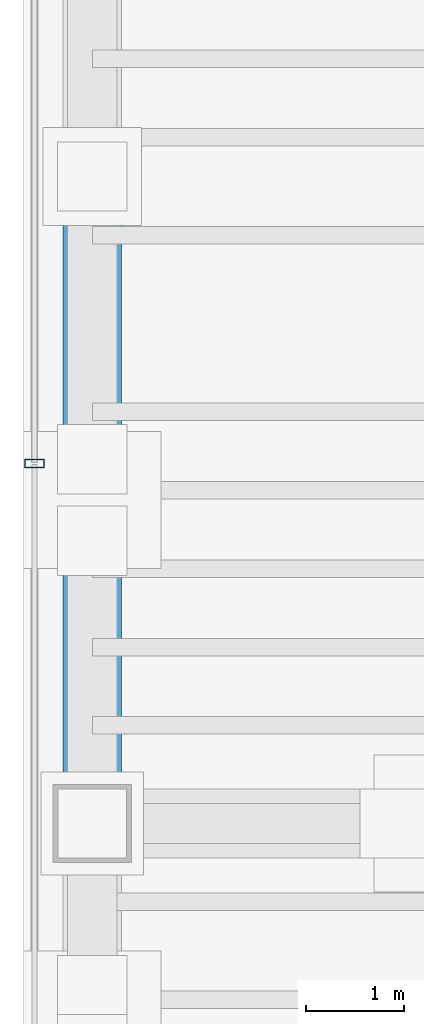
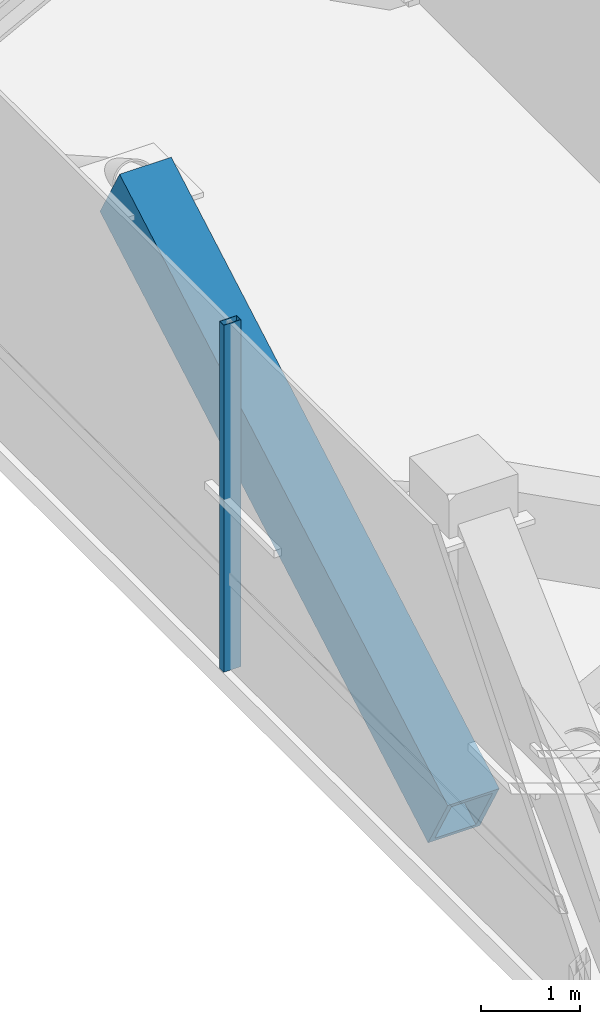
# One storey, part 6 of 19: 2 members, 1 element without a shape of its own.
"""IFC4 building model written with IfcOpenShell, lengths in metres."""

import ifcopenshell
import ifcopenshell.guid

model = None  # the IFC model being written
_history = None  # IfcOwnerHistory: only IFC2X3 demands one
_inside = {}  # id of a spatial element -> (the spatial element, [elements in it])
_under = {}  # id of a project, library or spatial element -> (it, [spatial elements below it])
_declared = {}  # id of a project -> (the project, [libraries it declares])
_typed = {}  # id of a type object -> (the type object, [elements of that type])
_made_of = {}  # id of a material, layer set ... -> (it, [elements and type objects made of it])


def new_model(schema):
    """Start an empty IFC model of exactly this schema.

    Asked for "IFC4X3", IfcOpenShell would pick the latest addendum, in which some entities
    have other attributes; the version numbers below select the first issue.
    IFC2X3 requires an IfcOwnerHistory on every rooted entity: one is made here for all.
    """
    global model, _history
    if schema == "IFC4X3":
        model = ifcopenshell.file(schema_version=(4, 3, 0, 0))
    else:
        model = ifcopenshell.file(schema=schema)
    _inside.clear()
    _under.clear()
    _declared.clear()
    _typed.clear()
    _made_of.clear()
    _history = None
    if model.schema == "IFC2X3":
        org = make("IfcOrganization", Name="unknown")
        user = make(
            "IfcPersonAndOrganization",
            ThePerson=make("IfcPerson", FamilyName="unknown"),
            TheOrganization=org,
        )
        app = make(
            "IfcApplication",
            ApplicationDeveloper=org,
            Version="unknown",
            ApplicationFullName="unknown",
            ApplicationIdentifier="unknown",
        )
        _history = make(
            "IfcOwnerHistory",
            OwningUser=user,
            OwningApplication=app,
            ChangeAction="ADDED",
            CreationDate=0,
        )
    return model


def make(cls, **values):
    """One entity of the class cls with the attributes given. An attribute that is None is left unset."""
    return model.create_entity(
        cls, **{name: value for name, value in values.items() if value is not None}
    )


def rooted(cls, **values):
    """An entity with a GlobalId (a new one), such as an element, a storey or a relation."""
    return make(cls, GlobalId=ifcopenshell.guid.new(), OwnerHistory=_history, **values)


def si_unit(unit_type, name, prefix=None):
    """IfcSIUnit, for example si_unit("LENGTHUNIT", "METRE", prefix="MILLI")."""
    return make("IfcSIUnit", UnitType=unit_type, Prefix=prefix, Name=name)


def assignment(units):
    """IfcUnitAssignment: the units of a project."""
    return None if units is None else make("IfcUnitAssignment", Units=units)


def point(xyz):
    """IfcCartesianPoint."""
    return None if xyz is None else make("IfcCartesianPoint", Coordinates=xyz)


def direction(xyz):
    """IfcDirection."""
    return None if xyz is None else make("IfcDirection", DirectionRatios=xyz)


def frame(location, z_axis=None, x_axis=None):
    """IfcAxis2Placement3D, a coordinate frame: its origin and axes. An axis left out is left unset."""
    return make(
        "IfcAxis2Placement3D",
        Location=point(location),
        Axis=direction(z_axis),
        RefDirection=direction(x_axis),
    )


def frame_2d(location, x_axis=None):
    """IfcAxis2Placement2D, a coordinate frame in the plane: its origin and x axis."""
    return make(
        "IfcAxis2Placement2D", Location=point(location), RefDirection=direction(x_axis)
    )


def origin():
    """The frame at (0, 0, 0) with its axes left unset."""
    return frame((0.0, 0.0, 0.0))


def origin_2d():
    """The frame at (0, 0) in the plane with its x axis left unset."""
    return frame_2d((0.0, 0.0))


def place(relative_to, where):
    """IfcLocalPlacement: puts the frame where relative to a parent placement (None: the world)."""
    return make(
        "IfcLocalPlacement", PlacementRelTo=relative_to, RelativePlacement=where
    )


def context(
    kind, dimensions, precision=None, world=None, true_north=None, identifier=None
):
    """IfcGeometricRepresentationContext, for example the 3D "Model" context."""
    return make(
        "IfcGeometricRepresentationContext",
        ContextIdentifier=identifier,
        ContextType=kind,
        CoordinateSpaceDimension=dimensions,
        Precision=precision,
        WorldCoordinateSystem=world,
        TrueNorth=true_north,
    )


def subcontext(parent, identifier, kind, view, scale=None):
    """IfcGeometricRepresentationSubContext, for example "Body" below "Model"."""
    return make(
        "IfcGeometricRepresentationSubContext",
        ContextIdentifier=identifier,
        ContextType=kind,
        ParentContext=parent,
        TargetScale=scale,
        TargetView=view,
    )


def project(units=None, contexts=None):
    """IfcProject with its units and contexts."""
    return rooted(
        "IfcProject",
        Name="project",
        RepresentationContexts=contexts,
        UnitsInContext=assignment(units),
    )


def spatial(cls, under=None, at=None, **own):
    """A site, building, storey or space (cls), placed at a placement, below another one or the project."""
    s = rooted(cls, ObjectPlacement=at, **own)
    if under is not None:
        _under.setdefault(under.id(), (under, []))[1].append(s)
    return s


def profile(cls, at=None, kind="AREA", **sizes):
    """A parametric profile (cls). Its sizes go by their IFC names, for example OverallWidth=200.0."""
    return make(cls, ProfileType=kind, Position=at, **sizes)


def hollow_rectangle(**sizes):
    """IfcRectangleHollowProfileDef."""
    return profile("IfcRectangleHollowProfileDef", **sizes)


def extrude(swept, where, along, depth):
    """IfcExtrudedAreaSolid: the profile swept, set in the frame where, extruded along a direction by depth."""
    return make(
        "IfcExtrudedAreaSolid",
        SweptArea=swept,
        Position=where,
        ExtrudedDirection=direction(along),
        Depth=depth,
    )


def shape(context_of_items, identifier, shape_type, items):
    """IfcShapeRepresentation: the items that make up one representation, for example the "Body"."""
    return make(
        "IfcShapeRepresentation",
        ContextOfItems=context_of_items,
        RepresentationIdentifier=identifier,
        RepresentationType=shape_type,
        Items=items,
    )


def source(mapping_origin, context_of_items, identifier, shape_type, items):
    """IfcRepresentationMap: a shape defined once, which mapped items show again and again."""
    return make(
        "IfcRepresentationMap",
        MappingOrigin=mapping_origin,
        MappedRepresentation=shape(context_of_items, identifier, shape_type, items),
    )


def transform(
    local_origin,
    x_axis=None,
    y_axis=None,
    z_axis=None,
    scale=None,
    scale2=None,
    scale3=None,
    uniform=True,
):
    """IfcCartesianTransformationOperator3D, or its non-uniform kind. x_axis, y_axis, z_axis: its Axis1, 2, 3."""
    if uniform:
        return make(
            "IfcCartesianTransformationOperator3D",
            Axis1=direction(x_axis),
            Axis2=direction(y_axis),
            LocalOrigin=point(local_origin),
            Scale=scale,
            Axis3=direction(z_axis),
        )
    return make(
        "IfcCartesianTransformationOperator3DnonUniform",
        Axis1=direction(x_axis),
        Axis2=direction(y_axis),
        LocalOrigin=point(local_origin),
        Scale=scale,
        Axis3=direction(z_axis),
        Scale2=scale2,
        Scale3=scale3,
    )


def mapped(mapping_source, mapping_target):
    """IfcMappedItem: shows the shape of a source again, moved by a transform."""
    return make(
        "IfcMappedItem", MappingSource=mapping_source, MappingTarget=mapping_target
    )


def material(Name=None, Category=None):
    """IfcMaterial."""
    return make("IfcMaterial", Name=Name, Category=Category)


def material_profile(
    of_material, cross_section, Name=None, Category=None, Priority=None
):
    """IfcMaterialProfile: a cross section and its material."""
    return make(
        "IfcMaterialProfile",
        Name=Name,
        Material=of_material,
        Profile=cross_section,
        Priority=Priority,
        Category=Category,
    )


def profile_set(profiles, Name=None, composite=None):
    """IfcMaterialProfileSet."""
    return make(
        "IfcMaterialProfileSet",
        Name=Name,
        MaterialProfiles=profiles,
        CompositeProfile=composite,
    )


def made_of(thing, what):
    """Note that an element or type object is made of a material, layer set ...; save() writes the relation."""
    if what is not None:
        _made_of.setdefault(what.id(), (what, []))[1].append(thing)
    return thing


def type_object(cls, material=None, **own):
    """A type object (cls), such as IfcWallType, which elements share."""
    return made_of(rooted(cls, **own), material)


def element(
    cls,
    number,
    at=None,
    inside=None,
    cuts=None,
    type_object=None,
    material=None,
    context=None,
    identifier="Body",
    shape_type=None,
    held_by="IfcProductDefinitionShape",
    body=None,
    shapes=None,
    **own,
):
    """One element of the class cls, such as IfcWall. Its Tag is "e" and its number.

    at: its placement. inside: the storey or other place that contains it. cuts: it is an
    opening in that element (IfcRelVoidsElement). A single representation is given by context,
    identifier, shape_type and body (its items); several are given by shapes. held_by: the class
    of the entity that holds the representations. save() writes the other relations.
    """
    e = rooted(cls, Tag="e%d" % number, ObjectPlacement=at, **own)
    if body is not None:
        shapes = [shape(context, identifier, shape_type, body)]
    if shapes is not None:
        e.Representation = make(held_by, Representations=shapes)
    if inside is not None:
        _inside.setdefault(inside.id(), (inside, []))[1].append(e)
    if cuts is not None:
        rooted(
            "IfcRelVoidsElement", RelatingBuildingElement=cuts, RelatedOpeningElement=e
        )
    if type_object is not None:
        _typed.setdefault(type_object.id(), (type_object, []))[1].append(e)
    return made_of(e, material)


def aggregate(whole, parts):
    """IfcRelAggregates: a whole, such as a stair, and the parts it consists of."""
    return rooted("IfcRelAggregates", RelatingObject=whole, RelatedObjects=parts)


def save(model, path):
    """Write the relations noted so far, then the file.

    IfcRelAggregates (storeys below a building ...), IfcRelContainedInSpatialStructure (elements
    in a storey), IfcRelDefinesByType, IfcRelAssociatesMaterial and IfcRelDeclares: one each for
    every whole, place, type object, material and project.
    """
    for whole, parts in _under.values():
        aggregate(whole, parts)
    for where, things in _inside.values():
        rooted(
            "IfcRelContainedInSpatialStructure",
            RelatedElements=things,
            RelatingStructure=where,
        )
    for kind, things in _typed.values():
        rooted("IfcRelDefinesByType", RelatedObjects=things, RelatingType=kind)
    for what, things in _made_of.values():
        rooted("IfcRelAssociatesMaterial", RelatedObjects=things, RelatingMaterial=what)
    for by, libraries in _declared.values():
        rooted("IfcRelDeclares", RelatingContext=by, RelatedDefinitions=libraries)
    model.write(path)


model = new_model("IFC4")

# Units and contexts
model_context = context("Model", 3, precision=1e-05, world=origin(), true_north=direction((0.0, 1.0)))
body_context = subcontext(model_context, "Body", "Model", "MODEL_VIEW")
ifc_project = project(units=[si_unit("LENGTHUNIT", "METRE"), si_unit("AREAUNIT", "SQUARE_METRE"), si_unit("VOLUMEUNIT", "CUBIC_METRE"), si_unit("PLANEANGLEUNIT", "RADIAN"), si_unit("MASSUNIT", "GRAM", prefix="KILO")], contexts=[model_context])

# Site, building, storey
site_placement = place(None, origin())
site = spatial("IfcSite", under=ifc_project, at=site_placement, CompositionType="ELEMENT")
building_placement = place(site_placement, origin())
building = spatial("IfcBuilding", under=site, at=building_placement, Name="Valdorenza Pilgrim Sanctuary Tower", CompositionType="ELEMENT")
storey_placement = place(building_placement, frame((0.0, 0.0, 261.5)))
storey = spatial("IfcBuildingStorey", under=building, at=storey_placement, Name="L68", CompositionType="ELEMENT", Elevation=261.5)

# Member
ifc_material_1 = material(Name="Steel ASTM A572 Grade 42", Category="steel")
ifc_material_profile_1 = material_profile(ifc_material_1, hollow_rectangle(XDim=0.60009765625, YDim=0.800048828125, WallThickness=0.06005859375, at=origin_2d()), Name="BOX 800x600x60")
ifc_profile_set_1 = profile_set([ifc_material_profile_1], Name="Steel ASTM A572 Grade 42")
member_type_1 = type_object("IfcMemberType", Name="STR-MB-BLT-BOX800", PredefinedType="BRACE", material=ifc_profile_set_1)
shared_shape_1 = source(origin(), body_context, "Body", "SweptSolid", [
    extrude(hollow_rectangle(XDim=0.60009765625, YDim=0.800048828125, WallThickness=0.06005859375, at=origin_2d()), origin(), (0.0, 0.0, 1.0), 7.591064453125),
])
member_1_placement = place(storey_placement, frame((-29.800048828125, -2.60009765625, 0.199951171875), z_axis=(0.0, 0.869459696941, 0.494003881964), x_axis=(-1.0, 0.0, 0.0)))
element("IfcMember", 1, at=member_1_placement, inside=storey, type_object=member_type_1, Name="L68 Perimeter Belt Truss Diagonal W3", PredefinedType="BRACE", context=body_context, shape_type="MappedRepresentation", body=[
    mapped(shared_shape_1, transform((0.0, 0.0, 0.0), x_axis=(1.0, 0.0, 0.0), y_axis=(0.0, 1.0, 0.0), z_axis=(0.0, 0.0, 1.0), scale=1.0)),
])

# Curtain wall, member
ifc_material_2 = material(Name="Curtain-wall IGU glazing", Category="glass")
curtain_wall_type = type_object("IfcCurtainWallType", Name="CW-SYS-02", PredefinedType="NOTDEFINED", material=ifc_material_2)
curtain_wall_placement = place(storey_placement, origin())
curtain_wall = element("IfcCurtainWall", 2, at=curtain_wall_placement, inside=storey, type_object=curtain_wall_type, Name="L68 Curtain Wall CW-L68-1-1", PredefinedType="NOTDEFINED")
ifc_material_3 = material(Name="Anodised aluminium AW-6060", Category="aluminium")
ifc_material_profile_2 = material_profile(ifc_material_3, hollow_rectangle(XDim=0.0849609375, YDim=0.199951171875, WallThickness=0.0048828125, at=origin_2d()), Name="ALU-M 200x85x5")
ifc_profile_set_2 = profile_set([ifc_material_profile_2], Name="Anodised aluminium AW-6060")
member_type_2 = type_object("IfcMemberType", Name="CW-MUL-02", PredefinedType="MULLION", material=ifc_profile_set_2)
shared_shape_2 = source(origin(), body_context, "Body", "SweptSolid", [
    extrude(hollow_rectangle(XDim=0.0849609375, YDim=0.199951171875, WallThickness=0.0048828125, at=origin_2d()), origin(), (0.0, 0.0, 1.0), 4.260009765625),
])
member_2_placement = place(storey_placement, frame((-30.389892578125, 1.07373046875, 0.0), z_axis=(0.0, 0.0, 1.0), x_axis=(0.0, 1.0, 0.0)))
member_2 = element("IfcMember", 3, at=member_2_placement, type_object=member_type_2, Name="CW-L68-1-1 Mullion 3", PredefinedType="MULLION", context=body_context, shape_type="MappedRepresentation", body=[
    mapped(shared_shape_2, transform((0.0, 0.0, 0.0), x_axis=(1.0, 0.0, 0.0), y_axis=(0.0, 1.0, 0.0), z_axis=(0.0, 0.0, 1.0), scale=1.0)),
])
aggregate(curtain_wall, [member_2])

save(model, "model.ifc")
